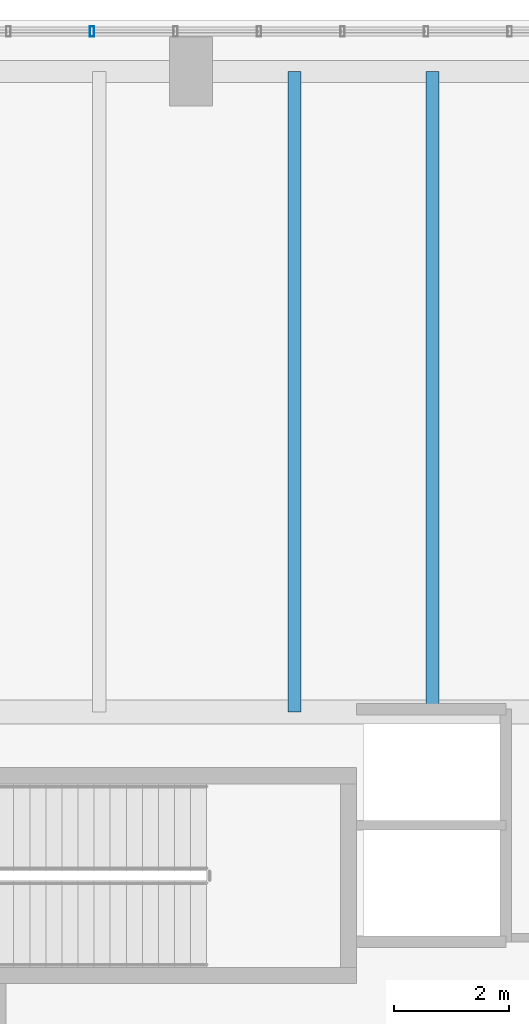
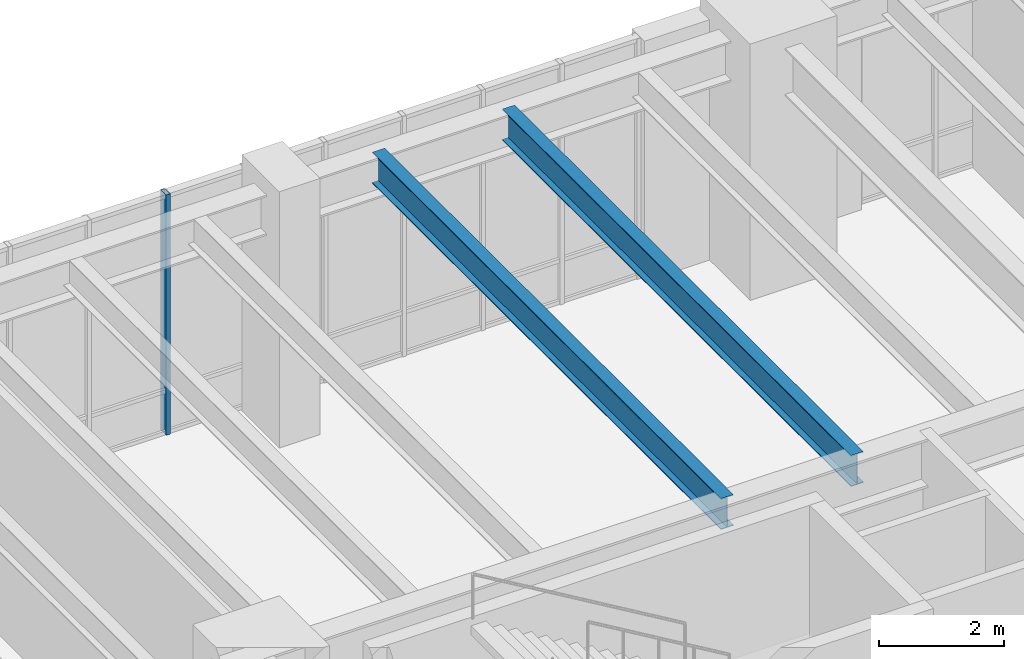
# One storey, part 11 of 26: 2 beams, 1 member, 1 element without a shape of its own.
"""IFC4 building model written with IfcOpenShell, lengths in metres."""

from ifc_helpers import new_model, si_unit, direction, frame, origin, origin_2d, place, context, subcontext, project, spatial, hollow_rectangle, i_section, extrude, material, layer, layer_set, material_profile, profile_set, type_object, element, aggregate, save


model = new_model("IFC4")

# Units and contexts
model_context = context("Model", 3, precision=1e-05, world=origin(), true_north=direction((0.0, 1.0)))
body_context = subcontext(model_context, "Body", "Model", "MODEL_VIEW")
ifc_project = project(units=[si_unit("LENGTHUNIT", "METRE"), si_unit("AREAUNIT", "SQUARE_METRE"), si_unit("VOLUMEUNIT", "CUBIC_METRE"), si_unit("PLANEANGLEUNIT", "RADIAN"), si_unit("MASSUNIT", "GRAM", prefix="KILO"), si_unit("THERMODYNAMICTEMPERATUREUNIT", "KELVIN"), si_unit("POWERUNIT", "WATT")], contexts=[model_context])

# Site, building, storey
site_placement = place(None, origin())
site = spatial("IfcSite", under=ifc_project, at=site_placement, CompositionType="ELEMENT")
building_placement = place(site_placement, origin())
building = spatial("IfcBuilding", under=site, at=building_placement, Name="Skarre Station Tower", CompositionType="ELEMENT")
storey_placement = place(building_placement, frame((0.0, 0.0, 6.0)))
storey = spatial("IfcBuildingStorey", under=building, at=storey_placement, Name="L02", CompositionType="ELEMENT", Elevation=6.0)

# Curtain wall, member
ifc_material_1 = material(Name="Thermally Broken Bronze-Anodized Aluminium & Triple Low-E Glass", Category="aluminium")
ifc_layer = layer(ifc_material_1, 0.199951171875, Name="Thermally Broken Bronze-Anodized Aluminium & Triple Low-E Glass")
ifc_layer_set = layer_set([ifc_layer], Name="Thermally Broken Bronze-Anodized Aluminium & Triple Low-E Glass")
curtain_wall_type = type_object("IfcCurtainWallType", Name="Podium Transit Arcade Stick Curtain Wall", PredefinedType="NOTDEFINED", material=ifc_layer_set)
curtain_wall_placement = place(storey_placement, origin())
curtain_wall = element("IfcCurtainWall", 1, at=curtain_wall_placement, inside=storey, type_object=curtain_wall_type, Name="L02 North Arcade West Curtain Wall", PredefinedType="NOTDEFINED")
ifc_material_2 = material(Name="Anodized Aluminium 6063-T6", Category="aluminium")
ifc_material_profile_1 = material_profile(ifc_material_2, hollow_rectangle(XDim=0.074951171875, YDim=0.179931640625, WallThickness=0.00390625, at=origin_2d()), Name="Anodized Aluminium 6063-T6")
ifc_profile_set_1 = profile_set([ifc_material_profile_1], Name="Anodized Aluminium 6063-T6")
member_type = type_object("IfcMemberType", Name="Curtain-Wall Unitised Tower Mullion 180x75", PredefinedType="MULLION", material=ifc_profile_set_1)
member_placement = place(storey_placement, frame((25.27294921875, 47.800048828125, 0.0), z_axis=(0.0, 0.0, 1.0), x_axis=(1.0, 0.0, 0.0)))
member = element("IfcMember", 2, at=member_placement, type_object=member_type, Name="L02 North Arcade West Curtain Wall Mullion 6", PredefinedType="MULLION", context=body_context, shape_type="SweptSolid", body=[
    extrude(hollow_rectangle(XDim=0.074951171875, YDim=0.179931640625, WallThickness=0.00390625, at=origin_2d()), origin(), (0.0, 0.0, 1.0), 4.68994140625),
])
aggregate(curtain_wall, [member])

# Beams
ifc_material_3 = material(Name="Steel ASTM A992 Grade 50", Category="steel")
ifc_material_profile_2 = material_profile(ifc_material_3, i_section(OverallWidth=0.22802734375, OverallDepth=0.60791015625, WebThickness=0.010986328125, FlangeThickness=0.01708984375, at=origin_2d()), Name="Steel ASTM A992 Grade 50")
ifc_profile_set_2 = profile_set([ifc_material_profile_2], Name="Steel ASTM A992 Grade 50")
beam_type = type_object("IfcBeamType", Name="Steel Joist W24X76", PredefinedType="JOIST", material=ifc_profile_set_2)
for number, where, z_axis, x_axis, name in (
    (3, (28.800048828125, 35.949951171875, 4.385986328125), (0.0, 1.0, 0.0), (-1.0, 0.0, 0.0), "L02 North Bay Joist 11"),
    (4, (31.199951171875, 35.949951171875, 4.385986328125), (0.0, 1.0, 0.0), (-1.0, 0.0, 0.0), "L02 North Bay Joist 12"),
):
    element("IfcBeam", number, at=place(storey_placement, frame(where, z_axis=z_axis, x_axis=x_axis)), inside=storey, type_object=beam_type, Name=name, PredefinedType="JOIST", context=body_context, shape_type="SweptSolid", body=[
        extrude(i_section(OverallWidth=0.22802734375, OverallDepth=0.60791015625, WebThickness=0.010986328125, FlangeThickness=0.01708984375, at=origin_2d()), origin(), (0.0, 0.0, 1.0), 11.150146484375),
    ])

save(model, "model.ifc")
